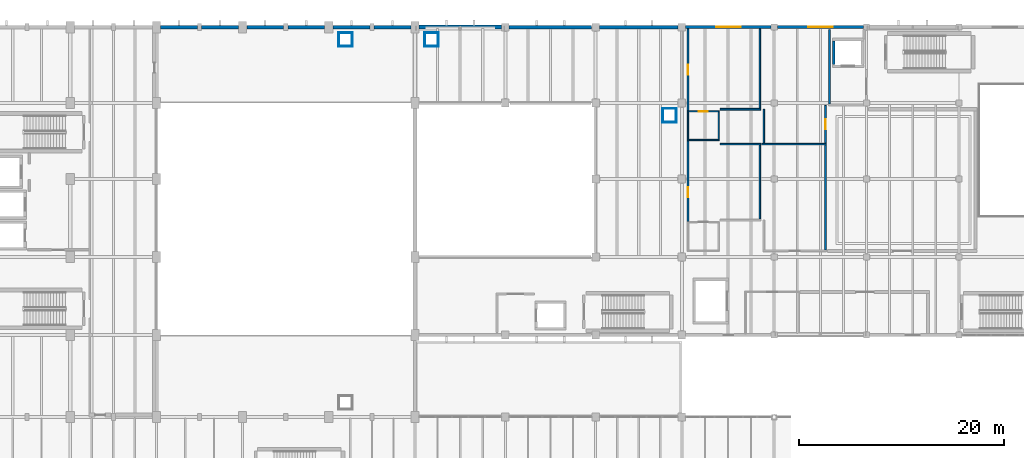
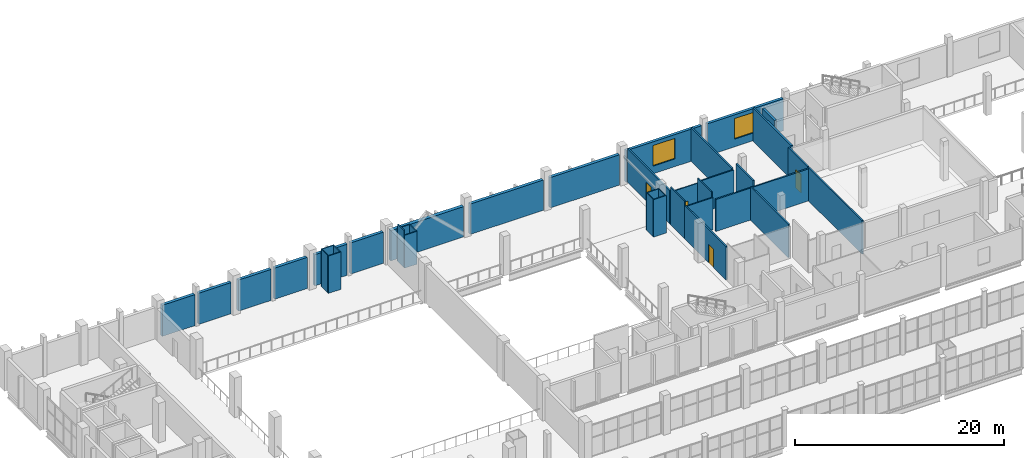
# One storey, part 122 of 136: 39 walls, 4 doors, 2 windows, 6 openings.
"""IFC4 building model written with IfcOpenShell, lengths in metres."""

from ifc_helpers import new_model, si_unit, direction, frame, frame_2d, origin, place, context, subcontext, project, spatial, rectangle, extrude, material, layer, layer_set, type_object, element, fill, save


model = new_model("IFC4")

# Units and contexts
model_context = context("Model", 3, precision=1e-05, world=origin(), true_north=direction((0.0, 1.0)))
body_context = subcontext(model_context, "Body", "Model", "MODEL_VIEW")
ifc_project = project(units=[si_unit("LENGTHUNIT", "METRE"), si_unit("AREAUNIT", "SQUARE_METRE"), si_unit("VOLUMEUNIT", "CUBIC_METRE"), si_unit("PLANEANGLEUNIT", "RADIAN"), si_unit("MASSUNIT", "GRAM", prefix="KILO")], contexts=[model_context])

# Site, building, storey
site_placement = place(None, origin())
site = spatial("IfcSite", under=ifc_project, at=site_placement, CompositionType="ELEMENT")
building_placement = place(site_placement, origin())
building = spatial("IfcBuilding", under=site, at=building_placement, Name="Shengluoqiao Park Theatre", CompositionType="ELEMENT")
storey_placement = place(building_placement, frame((0.0, 0.0, 10.0)))
storey = spatial("IfcBuildingStorey", under=building, at=storey_placement, Name="L02", CompositionType="ELEMENT", Elevation=10.0)

# Wall, opening, window
ifc_material_1 = material(Name="Concrete C40", Category="concrete")
ifc_layer_1 = layer(ifc_material_1, 0.31005859375, Name="Concrete C40")
ifc_layer_set_1 = layer_set([ifc_layer_1], Name="Concrete C40")
wall_type_1 = type_object("IfcWallType", Name="ENV-WL-CONC310", PredefinedType="STANDARD", material=ifc_layer_set_1)
wall_1_placement = place(storey_placement, frame((112.779052734375, 114.0, 0.0), z_axis=(0.0, 0.0, 1.0), x_axis=(1.0, 0.0, 0.0)))
wall_1 = element("IfcWall", 1, at=wall_1_placement, inside=storey, type_object=wall_type_1, Name="L02 Exterior Wall 0211", PredefinedType="STANDARD", context=body_context, shape_type="SweptSolid", body=[
    extrude(rectangle(XDim=8.31689453125, YDim=0.31005859375, at=frame_2d((4.158447265625, 0.0))), origin(), (0.0, 0.0, 1.0), 3.738037109375),
])
opening_1_placement = place(wall_1_placement, frame((2.95849609375, 0.0, 0.89990234375)))
opening_1 = element("IfcOpeningElement", 2, at=opening_1_placement, cuts=wall_1, Name="Opening W-02", PredefinedType="OPENING", context=body_context, shape_type="SweptSolid", body=[
    extrude(rectangle(XDim=2.39990234375, YDim=2.39990234375, at=frame_2d((1.199951171875, 1.199951171875))), frame((0.0, 0.1650390625, 0.0), z_axis=(0.0, -1.0, 0.0), x_axis=(1.0, 0.0, 0.0)), (0.0, 0.0, 1.0), 0.330078125),
])
ifc_material_2 = material(Name="Insulated glass", Category="glass")
window_type = type_object("IfcWindowType", Name="ENV-WIN-W02", PartitioningType="TRIPLE_PANEL_VERTICAL", PredefinedType="WINDOW", material=ifc_material_2)
window_1_placement = place(opening_1_placement, origin())
window_1 = element("IfcWindow", 3, at=window_1_placement, inside=storey, type_object=window_type, Name="L02 Acoustic Window 0057", OverallHeight=2.39990234375, OverallWidth=2.39990234375, PartitioningType="TRIPLE_PANEL_VERTICAL", PredefinedType="WINDOW", context=body_context, shape_type="SweptSolid", body=[
    extrude(rectangle(XDim=2.39990234375, YDim=2.39990234375, at=frame_2d((1.199951171875, 1.199951171875))), frame((0.0, 0.030029296875, 0.0), z_axis=(0.0, -1.0, 0.0), x_axis=(1.0, 0.0, 0.0)), (0.0, 0.0, 1.0), 0.06005859375),
])
fill(opening_1, window_1)

wall_2_placement = place(storey_placement, frame((121.7041015625, 114.0, 0.0), z_axis=(0.0, 0.0, 1.0), x_axis=(1.0, 0.0, 0.0)))
wall_2 = element("IfcWall", 4, at=wall_2_placement, inside=storey, type_object=wall_type_1, Name="L02 Exterior Wall 0212", PredefinedType="STANDARD", context=body_context, shape_type="SweptSolid", body=[
    extrude(rectangle(XDim=8.391845703125, YDim=0.31005859375, at=frame_2d((4.19580078125, 0.0))), origin(), (0.0, 0.0, 1.0), 3.738037109375),
])
opening_2_placement = place(wall_2_placement, frame((2.99609375, 0.0, 0.89990234375)))
opening_2 = element("IfcOpeningElement", 5, at=opening_2_placement, cuts=wall_2, Name="Opening W-02", PredefinedType="OPENING", context=body_context, shape_type="SweptSolid", body=[
    extrude(rectangle(XDim=2.39990234375, YDim=2.39990234375, at=frame_2d((1.199951171875, 1.199951171875))), frame((0.0, 0.1650390625, 0.0), z_axis=(0.0, -1.0, 0.0), x_axis=(1.0, 0.0, 0.0)), (0.0, 0.0, 1.0), 0.330078125),
])
window_2_placement = place(opening_2_placement, origin())
window_2 = element("IfcWindow", 6, at=window_2_placement, inside=storey, type_object=window_type, Name="L02 Acoustic Window 0058", OverallHeight=2.39990234375, OverallWidth=2.39990234375, PartitioningType="TRIPLE_PANEL_VERTICAL", PredefinedType="WINDOW", context=body_context, shape_type="SweptSolid", body=[
    extrude(rectangle(XDim=2.39990234375, YDim=2.39990234375, at=frame_2d((1.199951171875, 1.199951171875))), frame((0.0, 0.030029296875, 0.0), z_axis=(0.0, -1.0, 0.0), x_axis=(1.0, 0.0, 0.0)), (0.0, 0.0, 1.0), 0.06005859375),
])
fill(opening_2, window_2)

# Walls
ifc_material_3 = material(Name="Concrete C45", Category="concrete")
ifc_layer_2 = layer(ifc_material_3, 0.330078125, Name="Concrete C45")
ifc_layer_set_2 = layer_set([ifc_layer_2], Name="Concrete C45")
wall_type_2 = type_object("IfcWallType", Name="ENV-WL-CONC330", PredefinedType="STANDARD", material=ifc_layer_set_2)
for number, where, z_axis, x_axis, name in (
    (7, (61.60400390625, 114.0, 0.0), (0.0, 0.0, 1.0), (1.0, 0.0, 0.0), "L02 Exterior Wall 0031"),
    (8, (65.60400390625, 114.0, 0.0), (0.0, 0.0, 1.0), (1.0, 0.0, 0.0), "L02 Exterior Wall 0032"),
    (9, (70.00390625, 114.0, 0.0), (0.0, 0.0, 1.0), (1.0, 0.0, 0.0), "L02 Exterior Wall 0033"),
    (10, (74.00390625, 114.0, 0.0), (0.0, 0.0, 1.0), (1.0, 0.0, 0.0), "L02 Exterior Wall 0034"),
    (11, (78.404052734375, 114.0, 0.0), (0.0, 0.0, 1.0), (1.0, 0.0, 0.0), "L02 Exterior Wall 0035"),
    (12, (82.404052734375, 114.0, 0.0), (0.0, 0.0, 1.0), (1.0, 0.0, 0.0), "L02 Exterior Wall 0036"),
):
    element("IfcWall", number, at=place(storey_placement, frame(where, z_axis=z_axis, x_axis=x_axis)), inside=storey, type_object=wall_type_2, Name=name, PredefinedType="STANDARD", context=body_context, shape_type="SweptSolid", body=[
        extrude(rectangle(XDim=3.592041015625, YDim=0.330078125, at=frame_2d((1.7958984375, 0.0))), origin(), (0.0, 0.0, 1.0), 3.6279296875),
    ])
wall_3_placement = place(storey_placement, frame((95.5791015625, 114.0, 0.0), z_axis=(0.0, 0.0, 1.0), x_axis=(1.0, 0.0, 0.0)))
element("IfcWall", 13, at=wall_3_placement, inside=storey, type_object=wall_type_2, Name="L02 Exterior Wall 0066", PredefinedType="STANDARD", context=body_context, shape_type="SweptSolid", body=[
    extrude(rectangle(XDim=8.0419921875, YDim=0.330078125, at=frame_2d((4.02099609375, 0.0))), origin(), (0.0, 0.0, 1.0), 3.5380859375),
])
wall_4_placement = place(storey_placement, frame((104.37890625, 114.0, 0.0), z_axis=(0.0, 0.0, 1.0), x_axis=(1.0, 0.0, 0.0)))
element("IfcWall", 14, at=wall_4_placement, inside=storey, type_object=wall_type_2, Name="L02 Exterior Wall 0067", PredefinedType="STANDARD", context=body_context, shape_type="SweptSolid", body=[
    extrude(rectangle(XDim=7.64208984375, YDim=0.330078125, at=frame_2d((3.821044921875, 0.0))), origin(), (0.0, 0.0, 1.0), 3.5380859375),
])
ifc_layer_3 = layer(ifc_material_3, 0.3798828125, Name="Concrete C45")
ifc_layer_set_3 = layer_set([ifc_layer_3], Name="Concrete C45")
wall_type_3 = type_object("IfcWallType", Name="ENV-WL-CONC380", PredefinedType="STANDARD", material=ifc_layer_set_3)
wall_5_placement = place(storey_placement, frame((86.803955078125, 114.0, 0.0), z_axis=(0.0, 0.0, 1.0), x_axis=(1.0, 0.0, 0.0)))
element("IfcWall", 15, at=wall_5_placement, inside=storey, type_object=wall_type_3, Name="L02 Exterior Wall 0065", PredefinedType="STANDARD", context=body_context, shape_type="SweptSolid", body=[
    extrude(rectangle(XDim=8.01708984375, YDim=0.3798828125, at=frame_2d((4.008544921875, 0.0))), origin(), (0.0, 0.0, 1.0), 3.528076171875),
])
ifc_material_4 = material(Name="Gypsum acoustic stud", Category="gypsum")
ifc_layer_4 = layer(ifc_material_4, 0.155029296875, Name="Gypsum acoustic stud")
ifc_layer_set_4 = layer_set([ifc_layer_4], Name="Gypsum acoustic stud")
wall_type_4 = type_object("IfcWallType", Name="INT-WL-DRS155", PredefinedType="PARTITIONING", material=ifc_layer_set_4)
wall_6_placement = place(storey_placement, frame((116.135009765625, 102.60009765625, 0.0), z_axis=(0.0, 0.0, 1.0), x_axis=(1.0, 0.0, 0.0)))
element("IfcWall", 16, at=wall_6_placement, inside=storey, type_object=wall_type_4, Name="Principal Dressing Room 03 Partition N", PredefinedType="PARTITIONING", context=body_context, shape_type="SweptSolid", body=[
    extrude(rectangle(XDim=3.9423828125, YDim=0.155029296875, at=frame_2d((1.97119140625, 0.0))), origin(), (0.0, 0.0, 1.0), 3.738037109375),
])

# Wall, opening, door
wall_7_placement = place(storey_placement, frame((113.0, 95.0654296875, 0.0), z_axis=(0.0, 0.0, 1.0), x_axis=(0.0, 1.0, 0.0)))
wall_7 = element("IfcWall", 17, at=wall_7_placement, inside=storey, type_object=wall_type_4, Name="Principal Dressing Room 03 Partition W", PredefinedType="PARTITIONING", context=body_context, shape_type="SweptSolid", body=[
    extrude(rectangle(XDim=7.869140625, YDim=0.155029296875, at=frame_2d((3.9345703125, 0.0))), origin(), (0.0, 0.0, 1.0), 3.89794921875),
])
opening_3_placement = place(wall_7_placement, frame((2.3544921875, 0.0, 0.0)))
opening_3 = element("IfcOpeningElement", 18, at=opening_3_placement, cuts=wall_7, Name="Opening D-L02-060", PredefinedType="OPENING", context=body_context, shape_type="SweptSolid", body=[
    extrude(rectangle(XDim=1.0, YDim=2.14990234375, at=frame_2d((0.5, 1.074951171875))), frame((0.0, 0.08740234375, 0.0), z_axis=(0.0, -1.0, 0.0), x_axis=(1.0, 0.0, 0.0)), (0.0, 0.0, 1.0), 0.175048828125),
])
ifc_material_5 = material(Name="Acoustic timber", Category="wood")
door_type_1 = type_object("IfcDoorType", Name="INT-DR-SNG100", OperationType="NOTDEFINED", PredefinedType="DOOR", material=ifc_material_5)
door_1_placement = place(opening_3_placement, origin())
door_1 = element("IfcDoor", 19, at=door_1_placement, inside=storey, type_object=door_type_1, Name="Principal Dressing Room 03 Door D-L02-060", OperationType="SINGLE_SWING_RIGHT", OverallHeight=2.14990234375, OverallWidth=1.0, PredefinedType="DOOR", context=body_context, shape_type="SweptSolid", body=[
    extrude(rectangle(XDim=1.0, YDim=2.14990234375, at=frame_2d((0.5, 1.074951171875))), frame((0.0, 0.02490234375, 0.0), z_axis=(0.0, -1.0, 0.0), x_axis=(1.0, 0.0, 0.0)), (0.0, 0.0, 1.0), 0.050048828125),
])
fill(opening_3, door_1)

# Walls
wall_8_placement = place(storey_placement, frame((120.0, 95.283447265625, 0.0), z_axis=(0.0, 0.0, 1.0), x_axis=(0.0, 1.0, 0.0)))
element("IfcWall", 20, at=wall_8_placement, inside=storey, type_object=wall_type_4, Name="Principal Dressing Room 03 Partition E", PredefinedType="PARTITIONING", context=body_context, shape_type="SweptSolid", body=[
    extrude(rectangle(XDim=7.233154296875, YDim=0.155029296875, at=frame_2d((3.61669921875, 0.0))), origin(), (0.0, 0.0, 1.0), 3.89794921875),
])
wall_9_placement = place(storey_placement, frame((116.135009765625, 106.0, 0.0), z_axis=(0.0, 0.0, 1.0), x_axis=(1.0, 0.0, 0.0)))
element("IfcWall", 21, at=wall_9_placement, inside=storey, type_object=wall_type_4, Name="Principal Dressing Room 04 Partition S", PredefinedType="PARTITIONING", context=body_context, shape_type="SweptSolid", body=[
    extrude(rectangle(XDim=3.9423828125, YDim=0.155029296875, at=frame_2d((1.97119140625, 0.0))), origin(), (0.0, 0.0, 1.0), 3.738037109375),
])

# Wall, opening, door
wall_10_placement = place(storey_placement, frame((113.0, 105.865478515625, 0.0), z_axis=(0.0, 0.0, 1.0), x_axis=(0.0, 1.0, 0.0)))
wall_10 = element("IfcWall", 22, at=wall_10_placement, inside=storey, type_object=wall_type_4, Name="Principal Dressing Room 04 Partition W", PredefinedType="PARTITIONING", context=body_context, shape_type="SweptSolid", body=[
    extrude(rectangle(XDim=7.971435546875, YDim=0.155029296875, at=frame_2d((3.98583984375, 0.0))), origin(), (0.0, 0.0, 1.0), 3.89794921875),
])
opening_4_placement = place(wall_10_placement, frame((3.48583984375, 0.0, 0.0)))
opening_4 = element("IfcOpeningElement", 23, at=opening_4_placement, cuts=wall_10, Name="Opening D-L02-061", PredefinedType="OPENING", context=body_context, shape_type="SweptSolid", body=[
    extrude(rectangle(XDim=1.0, YDim=2.14990234375, at=frame_2d((0.5, 1.074951171875))), frame((0.0, 0.08740234375, 0.0), z_axis=(0.0, -1.0, 0.0), x_axis=(1.0, 0.0, 0.0)), (0.0, 0.0, 1.0), 0.175048828125),
])
door_2_placement = place(opening_4_placement, origin())
door_2 = element("IfcDoor", 24, at=door_2_placement, inside=storey, type_object=door_type_1, Name="Principal Dressing Room 04 Door D-L02-061", OperationType="SINGLE_SWING_LEFT", OverallHeight=2.14990234375, OverallWidth=1.0, PredefinedType="DOOR", context=body_context, shape_type="SweptSolid", body=[
    extrude(rectangle(XDim=1.0, YDim=2.14990234375, at=frame_2d((0.5, 1.074951171875))), frame((0.0, 0.02490234375, 0.0), z_axis=(0.0, -1.0, 0.0), x_axis=(1.0, 0.0, 0.0)), (0.0, 0.0, 1.0), 0.050048828125),
])
fill(opening_4, door_2)

# Walls
wall_11_placement = place(storey_placement, frame((120.0, 106.08349609375, 0.0), z_axis=(0.0, 0.0, 1.0), x_axis=(0.0, 1.0, 0.0)))
element("IfcWall", 25, at=wall_11_placement, inside=storey, type_object=wall_type_4, Name="Principal Dressing Room 04 Partition E", PredefinedType="PARTITIONING", context=body_context, shape_type="SweptSolid", body=[
    extrude(rectangle(XDim=7.75341796875, YDim=0.155029296875, at=frame_2d((3.876708984375, 0.0))), origin(), (0.0, 0.0, 1.0), 3.89794921875),
])
wall_12_placement = place(storey_placement, frame((120.175048828125, 102.60009765625, 0.0), z_axis=(0.0, 0.0, 1.0), x_axis=(1.0, 0.0, 0.0)))
element("IfcWall", 26, at=wall_12_placement, inside=storey, type_object=wall_type_4, Name="Chorus Dressing Room 03 Partition N", PredefinedType="PARTITIONING", context=body_context, shape_type="SweptSolid", body=[
    extrude(rectangle(XDim=6.302490234375, YDim=0.155029296875, at=frame_2d((3.1513671875, 0.0))), origin(), (0.0, 0.0, 1.0), 3.738037109375),
])
wall_13_placement = place(storey_placement, frame((126.39990234375, 92.283447265625, 0.0), z_axis=(0.0, 0.0, 1.0), x_axis=(0.0, 1.0, 0.0)))
element("IfcWall", 27, at=wall_13_placement, inside=storey, type_object=wall_type_4, Name="Chorus Dressing Room 03 Partition E", PredefinedType="PARTITIONING", context=body_context, shape_type="SweptSolid", body=[
    extrude(rectangle(XDim=10.233154296875, YDim=0.155029296875, at=frame_2d((5.11669921875, 0.0))), origin(), (0.0, 0.0, 1.0), 3.89794921875),
])

# Wall, opening, door
wall_14_placement = place(storey_placement, frame((126.39990234375, 102.685546875, 0.0), z_axis=(0.0, 0.0, 1.0), x_axis=(0.0, 1.0, 0.0)))
wall_14 = element("IfcWall", 28, at=wall_14_placement, inside=storey, type_object=wall_type_4, Name="Chorus Dressing Room 04 Partition E", PredefinedType="PARTITIONING", context=body_context, shape_type="SweptSolid", body=[
    extrude(rectangle(XDim=3.701904296875, YDim=0.155029296875, at=frame_2d((1.85107421875, 0.0))), origin(), (0.0, 0.0, 1.0), 3.89794921875),
])
opening_5_placement = place(wall_14_placement, frame((1.35107421875, 0.0, 0.0)))
opening_5 = element("IfcOpeningElement", 29, at=opening_5_placement, cuts=wall_14, Name="Opening D-L02-063", PredefinedType="OPENING", context=body_context, shape_type="SweptSolid", body=[
    extrude(rectangle(XDim=1.0, YDim=2.14990234375, at=frame_2d((0.5, 1.074951171875))), frame((0.0, 0.08740234375, 0.0), z_axis=(0.0, -1.0, 0.0), x_axis=(1.0, 0.0, 0.0)), (0.0, 0.0, 1.0), 0.175048828125),
])
door_3_placement = place(opening_5_placement, origin())
door_3 = element("IfcDoor", 30, at=door_3_placement, inside=storey, type_object=door_type_1, Name="Chorus Dressing Room 04 Door D-L02-063", OperationType="SINGLE_SWING_LEFT", OverallHeight=2.14990234375, OverallWidth=1.0, PredefinedType="DOOR", context=body_context, shape_type="SweptSolid", body=[
    extrude(rectangle(XDim=1.0, YDim=2.14990234375, at=frame_2d((0.5, 1.074951171875))), frame((0.0, 0.02490234375, 0.0), z_axis=(0.0, -1.0, 0.0), x_axis=(1.0, 0.0, 0.0)), (0.0, 0.0, 1.0), 0.050048828125),
])
fill(opening_5, door_3)

# Walls
wall_15_placement = place(storey_placement, frame((120.39990234375, 102.685546875, 0.0), z_axis=(0.0, 0.0, 1.0), x_axis=(0.0, 1.0, 0.0)))
element("IfcWall", 31, at=wall_15_placement, inside=storey, type_object=wall_type_4, Name="Chorus Dressing Room 04 Partition W", PredefinedType="PARTITIONING", context=body_context, shape_type="SweptSolid", body=[
    extrude(rectangle(XDim=3.300537109375, YDim=0.155029296875, at=frame_2d((1.650390625, 0.0))), origin(), (0.0, 0.0, 1.0), 4.360107421875),
])
ifc_material_6 = material(Name="Concrete blockwork B06", Category="masonry")
ifc_layer_5 = layer(ifc_material_6, 0.195068359375, Name="Concrete blockwork B06")
ifc_layer_set_5 = layer_set([ifc_layer_5], Name="Concrete blockwork B06")
wall_type_5 = type_object("IfcWallType", Name="INT-WL-FFL195", PredefinedType="PARTITIONING", material=ifc_layer_set_5)
wall_16_placement = place(storey_placement, frame((126.800048828125, 106.5048828125, 0.0), z_axis=(0.0, 0.0, 1.0), x_axis=(0.0, 1.0, 0.0)))
element("IfcWall", 32, at=wall_16_placement, inside=storey, type_object=wall_type_5, Name="L02 Firefighting Lift Lobby FF2 Fire Wall W", PredefinedType="PARTITIONING", context=body_context, shape_type="SweptSolid", body=[
    extrude(rectangle(XDim=7.275146484375, YDim=0.195068359375, at=frame_2d((3.6376953125, 0.0))), origin(), (0.0, 0.0, 1.0), 3.89794921875),
])
ifc_material_7 = material(Name="Gypsum shaftwall", Category="gypsum")
ifc_layer_6 = layer(ifc_material_7, 0.094970703125, Name="Gypsum shaftwall")
ifc_layer_set_6 = layer_set([ifc_layer_6], Name="Gypsum shaftwall")
wall_type_6 = type_object("IfcWallType", Name="INT-WL-RSR095", PredefinedType="PARTITIONING", material=ifc_layer_set_6)
for number, where, z_axis, x_axis, name in (
    (33, (78.905029296875, 112.14990234375, 0.0), (0.0, 0.0, 1.0), (1.0, 0.0, 0.0), "L02 Service Riser Shaftwall 105"),
    (34, (78.905029296875, 113.469970703125, 0.0), (0.0, 0.0, 1.0), (1.0, 0.0, 0.0), "L02 Service Riser Shaftwall 106"),
):
    element("IfcWall", number, at=place(storey_placement, frame(where, z_axis=z_axis, x_axis=x_axis)), inside=storey, type_object=wall_type_6, Name=name, PredefinedType="PARTITIONING", context=body_context, shape_type="SweptSolid", body=[
        extrude(rectangle(XDim=1.409912109375, YDim=0.094970703125, at=frame_2d((0.705078125, 0.0))), origin(), (0.0, 0.0, 1.0), 4.360107421875),
    ])
for number, where, z_axis, x_axis, name in (
    (35, (78.949951171875, 112.205078125, 0.0), (0.0, 0.0, 1.0), (0.0, 1.0, 0.0), "L02 Service Riser Shaftwall 107"),
    (36, (80.27001953125, 112.205078125, 0.0), (0.0, 0.0, 1.0), (0.0, 1.0, 0.0), "L02 Service Riser Shaftwall 108"),
):
    element("IfcWall", number, at=place(storey_placement, frame(where, z_axis=z_axis, x_axis=x_axis)), inside=storey, type_object=wall_type_6, Name=name, PredefinedType="PARTITIONING", context=body_context, shape_type="SweptSolid", body=[
        extrude(rectangle(XDim=1.2099609375, YDim=0.094970703125, at=frame_2d((0.60498046875, 0.0))), origin(), (0.0, 0.0, 1.0), 4.360107421875),
    ])
for number, where, z_axis, x_axis, name in (
    (37, (87.304931640625, 112.14990234375, 0.0), (0.0, 0.0, 1.0), (1.0, 0.0, 0.0), "L02 Service Riser Shaftwall 109"),
    (38, (87.304931640625, 113.469970703125, 0.0), (0.0, 0.0, 1.0), (1.0, 0.0, 0.0), "L02 Service Riser Shaftwall 110"),
):
    element("IfcWall", number, at=place(storey_placement, frame(where, z_axis=z_axis, x_axis=x_axis)), inside=storey, type_object=wall_type_6, Name=name, PredefinedType="PARTITIONING", context=body_context, shape_type="SweptSolid", body=[
        extrude(rectangle(XDim=1.41015625, YDim=0.094970703125, at=frame_2d((0.705078125, 0.0))), origin(), (0.0, 0.0, 1.0), 3.837890625),
    ])
wall_17_placement = place(storey_placement, frame((87.35009765625, 112.205078125, 0.0), z_axis=(0.0, 0.0, 1.0), x_axis=(0.0, 1.0, 0.0)))
element("IfcWall", 39, at=wall_17_placement, inside=storey, type_object=wall_type_6, Name="L02 Service Riser Shaftwall 111", PredefinedType="PARTITIONING", context=body_context, shape_type="SweptSolid", body=[
    extrude(rectangle(XDim=1.2099609375, YDim=0.094970703125, at=frame_2d((0.60498046875, 0.0))), origin(), (0.0, 0.0, 1.0), 4.360107421875),
])
wall_18_placement = place(storey_placement, frame((88.669921875, 112.205078125, 0.0), z_axis=(0.0, 0.0, 1.0), x_axis=(0.0, 1.0, 0.0)))
element("IfcWall", 40, at=wall_18_placement, inside=storey, type_object=wall_type_6, Name="L02 Service Riser Shaftwall 112", PredefinedType="PARTITIONING", context=body_context, shape_type="SweptSolid", body=[
    extrude(rectangle(XDim=1.2099609375, YDim=0.094970703125, at=frame_2d((0.60498046875, 0.0))), origin(), (0.0, 0.0, 1.0), 3.837890625),
])
for number, where, z_axis, x_axis, name in (
    (41, (110.5048828125, 104.75, 0.0), (0.0, 0.0, 1.0), (1.0, 0.0, 0.0), "L02 Service Riser Shaftwall 113"),
    (42, (110.5048828125, 106.070068359375, 0.0), (0.0, 0.0, 1.0), (1.0, 0.0, 0.0), "L02 Service Riser Shaftwall 114"),
):
    element("IfcWall", number, at=place(storey_placement, frame(where, z_axis=z_axis, x_axis=x_axis)), inside=storey, type_object=wall_type_6, Name=name, PredefinedType="PARTITIONING", context=body_context, shape_type="SweptSolid", body=[
        extrude(rectangle(XDim=1.41015625, YDim=0.094970703125, at=frame_2d((0.705078125, 0.0))), origin(), (0.0, 0.0, 1.0), 4.360107421875),
    ])
for number, where, z_axis, x_axis, name in (
    (43, (110.550048828125, 104.804931640625, 0.0), (0.0, 0.0, 1.0), (0.0, 1.0, 0.0), "L02 Service Riser Shaftwall 115"),
    (44, (111.8701171875, 104.804931640625, 0.0), (0.0, 0.0, 1.0), (0.0, 1.0, 0.0), "L02 Service Riser Shaftwall 116"),
):
    element("IfcWall", number, at=place(storey_placement, frame(where, z_axis=z_axis, x_axis=x_axis)), inside=storey, type_object=wall_type_6, Name=name, PredefinedType="PARTITIONING", context=body_context, shape_type="SweptSolid", body=[
        extrude(rectangle(XDim=1.2099609375, YDim=0.094970703125, at=frame_2d((0.60498046875, 0.0))), origin(), (0.0, 0.0, 1.0), 4.360107421875),
    ])
ifc_layer_7 = layer(ifc_material_1, 0.260009765625, Name="Concrete C40")
ifc_layer_set_7 = layer_set([ifc_layer_7], Name="Concrete C40")
wall_type_7 = type_object("IfcWallType", Name="INT-WL-SHF260", PredefinedType="STANDARD", material=ifc_layer_set_7)
wall_19_placement = place(storey_placement, frame((127.199951171875, 110.3359375, 0.0), z_axis=(0.0, 0.0, 1.0), x_axis=(0.0, 1.0, 0.0)))
element("IfcWall", 45, at=wall_19_placement, inside=storey, type_object=wall_type_7, Name="L02 FF2 Lift Shaft Wall West", PredefinedType="STANDARD", context=body_context, shape_type="SweptSolid", body=[
    extrude(rectangle(XDim=2.328125, YDim=0.260009765625, at=frame_2d((1.1640625, 0.0))), origin(), (0.0, 0.0, 1.0), 4.360107421875),
])

# Wall, opening, door
ifc_material_8 = material(Name="Moisture-resistant board")
ifc_layer_8 = layer(ifc_material_8, 0.114990234375, Name="Moisture-resistant board")
ifc_layer_set_8 = layer_set([ifc_layer_8], Name="Moisture-resistant board")
wall_type_8 = type_object("IfcWallType", Name="INT-WL-WCP115", PredefinedType="PARTITIONING", material=ifc_layer_set_8)
wall_20_placement = place(storey_placement, frame((112.9423828125, 105.800048828125, 0.0), z_axis=(0.0, 0.0, 1.0), x_axis=(1.0, 0.0, 0.0)))
wall_20 = element("IfcWall", 46, at=wall_20_placement, inside=storey, type_object=wall_type_8, Name="Principal En-Suite WC 04 Partition N", PredefinedType="PARTITIONING", context=body_context, shape_type="SweptSolid", body=[
    extrude(rectangle(XDim=3.115234375, YDim=0.114990234375, at=frame_2d((1.5576171875, 0.0))), origin(), (0.0, 0.0, 1.0), 3.738037109375),
])
opening_6_placement = place(wall_20_placement, frame((1.12744140625, 0.0, 0.0)))
opening_6 = element("IfcOpeningElement", 47, at=opening_6_placement, cuts=wall_20, Name="Opening D-L02-059", PredefinedType="OPENING", context=body_context, shape_type="SweptSolid", body=[
    extrude(rectangle(XDim=0.860107421875, YDim=2.0400390625, at=frame_2d((0.43017578125, 1.02001953125))), frame((0.0, 0.0673828125, 0.0), z_axis=(0.0, -1.0, 0.0), x_axis=(1.0, 0.0, 0.0)), (0.0, 0.0, 1.0), 0.135009765625),
])
ifc_material_9 = material(Name="Moisture-resistant laminate")
door_type_2 = type_object("IfcDoorType", Name="INT-DR-ENS086", OperationType="NOTDEFINED", PredefinedType="DOOR", material=ifc_material_9)
door_4_placement = place(opening_6_placement, origin())
door_4 = element("IfcDoor", 48, at=door_4_placement, inside=storey, type_object=door_type_2, Name="Principal En-Suite WC 04 Door D-L02-059", OperationType="SINGLE_SWING_LEFT", OverallHeight=2.0400390625, OverallWidth=0.860107421875, PredefinedType="DOOR", context=body_context, shape_type="SweptSolid", body=[
    extrude(rectangle(XDim=0.860107421875, YDim=2.0400390625, at=frame_2d((0.43017578125, 1.02001953125))), frame((0.0, 0.02490234375, 0.0), z_axis=(0.0, -1.0, 0.0), x_axis=(1.0, 0.0, 0.0)), (0.0, 0.0, 1.0), 0.050048828125),
])
fill(opening_6, door_4)

# Walls
wall_21_placement = place(storey_placement, frame((112.9423828125, 103.0, 0.0), z_axis=(0.0, 0.0, 1.0), x_axis=(1.0, 0.0, 0.0)))
element("IfcWall", 49, at=wall_21_placement, inside=storey, type_object=wall_type_8, Name="Principal En-Suite WC 04 Partition S", PredefinedType="PARTITIONING", context=body_context, shape_type="SweptSolid", body=[
    extrude(rectangle(XDim=3.115234375, YDim=0.114990234375, at=frame_2d((1.5576171875, 0.0))), origin(), (0.0, 0.0, 1.0), 3.738037109375),
])
for number, where, z_axis, x_axis, name in (
    (50, (113.0, 103.0634765625, 0.0), (0.0, 0.0, 1.0), (0.0, 1.0, 0.0), "Principal En-Suite WC 04 Partition W"),
    (51, (116.0, 103.0634765625, 0.0), (0.0, 0.0, 1.0), (0.0, 1.0, 0.0), "Principal En-Suite WC 04 Partition E"),
):
    element("IfcWall", number, at=place(storey_placement, frame(where, z_axis=z_axis, x_axis=x_axis)), inside=storey, type_object=wall_type_8, Name=name, PredefinedType="PARTITIONING", context=body_context, shape_type="SweptSolid", body=[
        extrude(rectangle(XDim=2.673095703125, YDim=0.114990234375, at=frame_2d((1.33642578125, 0.0))), origin(), (0.0, 0.0, 1.0), 4.360107421875),
    ])

save(model, "model.ifc")
